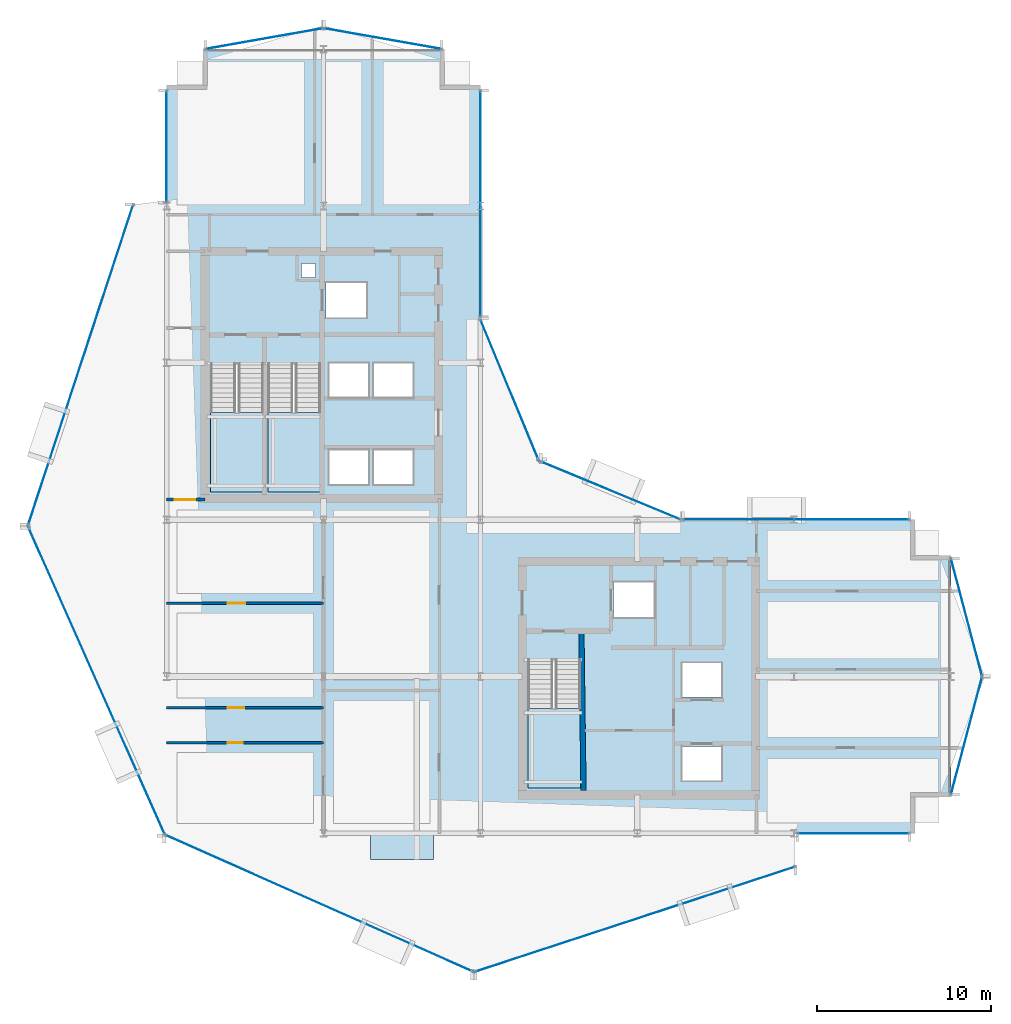
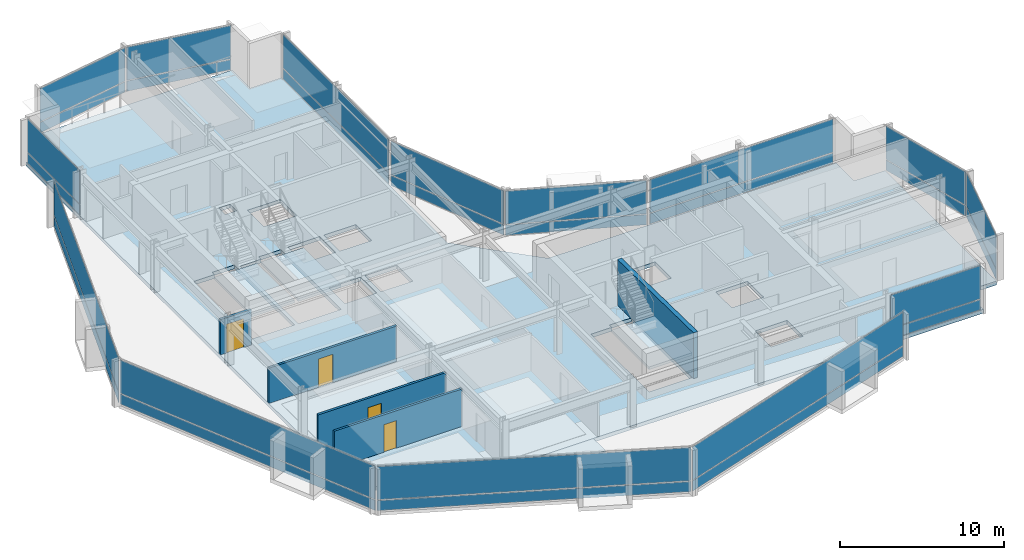
# One storey, part 21 of 29: 28 plates, 5 slabs, 5 walls, 4 doors, 4 openings, 17 elements without a shape of their own.
"""IFC4 building model written with IfcOpenShell, lengths in metres."""

from ifc_helpers import new_model, si_unit, direction, frame, frame_2d, origin, origin_2d, place, context, subcontext, project, spatial, polyline, rectangle, outline, extrude, material, layer, layer_set, type_object, element, fill, aggregate, save


model = new_model("IFC4")

# Units and contexts
model_context = context("Model", 3, precision=1e-05, world=origin(), true_north=direction((0.0, 1.0)))
body_context = subcontext(model_context, "Body", "Model", "MODEL_VIEW")
ifc_project = project(units=[si_unit("LENGTHUNIT", "METRE"), si_unit("AREAUNIT", "SQUARE_METRE"), si_unit("VOLUMEUNIT", "CUBIC_METRE"), si_unit("PLANEANGLEUNIT", "RADIAN"), si_unit("MASSUNIT", "GRAM", prefix="KILO")], contexts=[model_context])

# Site, building, storey
site_placement = place(None, origin())
site = spatial("IfcSite", under=ifc_project, at=site_placement, CompositionType="ELEMENT")
building_placement = place(site_placement, origin())
building = spatial("IfcBuilding", under=site, at=building_placement, Name="Solvaryn Broadcast Tower", CompositionType="ELEMENT")
storey_placement = place(building_placement, frame((0.0, 0.0, 139.60009765625)))
storey = spatial("IfcBuildingStorey", under=building, at=storey_placement, Name="L34", CompositionType="ELEMENT", Elevation=139.60009765625)

# Curtain wall, plates
ifc_material_1 = material(Name="Aluminium and Terracotta Unitised Curtain Wall", Category="masonry")
ifc_layer_1 = layer(ifc_material_1, 0.199951171875)
ifc_layer_set_1 = layer_set([ifc_layer_1], Name="CW-SYS2-LOWMID")
curtain_wall_type_1 = type_object("IfcCurtainWallType", Name="CW-SYS2-LOWMID", PredefinedType="NOTDEFINED", material=ifc_layer_set_1)
curtain_wall_1_placement = place(storey_placement, origin())
curtain_wall_1 = element("IfcCurtainWall", 1, at=curtain_wall_1_placement, inside=storey, type_object=curtain_wall_type_1, Name="L34 Curtain Wall DR1", PredefinedType="NOTDEFINED")
ifc_material_2 = material(Name="Kiln-Fired Architectural Terracotta Spandrel", Category="masonry")
ifc_layer_2 = layer(ifc_material_2, 0.048095703125)
ifc_layer_set_2 = layer_set([ifc_layer_2], Name="CW-PNL-TERRACOTTA")
plate_type = type_object("IfcPlateType", Name="CW-PNL-TERRACOTTA", PredefinedType="CURTAIN_PANEL", material=ifc_layer_set_2)
plate_1_placement = place(storey_placement, frame((4.056396484375, 35.8515625, 0.06005859375), z_axis=(0.0, 0.0, 1.0), x_axis=(-0.311646057547, -0.950198260794, 0.0)))
plate_1 = element("IfcPlate", 2, at=plate_1_placement, type_object=plate_type, Name="CWS2 panel 1.1", PredefinedType="CURTAIN_PANEL", context=body_context, shape_type="SweptSolid", body=[
    extrude(rectangle(XDim=19.277099609375, YDim=0.028076171875, at=origin_2d()), origin(), (0.0, 0.0, 1.0), 0.760009765625),
])
plate_2_placement = place(storey_placement, frame((4.056396484375, 35.8515625, 0.8798828125), z_axis=(0.0, 0.0, 1.0), x_axis=(-0.311646057547, -0.950198260794, 0.0)))
plate_2 = element("IfcPlate", 3, at=plate_2_placement, type_object=plate_type, Name="CWS2 panel 1.2", PredefinedType="CURTAIN_PANEL", context=body_context, shape_type="SweptSolid", body=[
    extrude(rectangle(XDim=19.277099609375, YDim=0.028076171875, at=origin_2d()), origin(), (0.0, 0.0, 1.0), 2.47998046875),
])
aggregate(curtain_wall_1, [plate_1, plate_2])

ifc_material_3 = material(Name="Aluminium and Terracotta Unitised Curtain Wall", Category="masonry")
ifc_layer_3 = layer(ifc_material_3, 0.239990234375)
ifc_layer_set_3 = layer_set([ifc_layer_3], Name="CW-SYS3-BAYBOX")
curtain_wall_type_2 = type_object("IfcCurtainWallType", Name="CW-SYS3-BAYBOX", PredefinedType="NOTDEFINED", material=ifc_layer_set_3)
curtain_wall_2_placement = place(storey_placement, origin())
curtain_wall_2 = element("IfcCurtainWall", 4, at=curtain_wall_2_placement, inside=storey, type_object=curtain_wall_type_2, Name="L34 Curtain Wall DR2", PredefinedType="NOTDEFINED")
plate_3_placement = place(storey_placement, frame((4.970947265625, 17.77197265625, 0.06005859375), z_axis=(0.0, 0.0, 1.0), x_axis=(0.405918429309, -0.913909311008, 0.0)))
plate_3 = element("IfcPlate", 5, at=plate_3_placement, type_object=plate_type, Name="CWS3 panel 1.1", PredefinedType="CURTAIN_PANEL", context=body_context, shape_type="SweptSolid", body=[
    extrude(rectangle(XDim=19.278076171875, YDim=0.028076171875, at=origin_2d()), origin(), (0.0, 0.0, 1.0), 0.760009765625),
])
plate_4_placement = place(storey_placement, frame((4.970947265625, 17.77197265625, 0.8798828125), z_axis=(0.0, 0.0, 1.0), x_axis=(0.405918429309, -0.913909311008, 0.0)))
plate_4 = element("IfcPlate", 6, at=plate_4_placement, type_object=plate_type, Name="CWS3 panel 1.2", PredefinedType="CURTAIN_PANEL", context=body_context, shape_type="SweptSolid", body=[
    extrude(rectangle(XDim=19.278076171875, YDim=0.028076171875, at=origin_2d()), origin(), (0.0, 0.0, 1.0), 2.47998046875),
])
aggregate(curtain_wall_2, [plate_3, plate_4])

curtain_wall_3_placement = place(storey_placement, origin())
curtain_wall_3 = element("IfcCurtainWall", 7, at=curtain_wall_3_placement, inside=storey, type_object=curtain_wall_type_1, Name="L34 Curtain Wall DR3", PredefinedType="NOTDEFINED")
plate_5_placement = place(storey_placement, frame((17.77197265625, 4.970947265625, 0.06005859375), z_axis=(0.0, 0.0, 1.0), x_axis=(0.913909311008, -0.405918429309, 0.0)))
plate_5 = element("IfcPlate", 8, at=plate_5_placement, type_object=plate_type, Name="CWS2 panel 1.1", PredefinedType="CURTAIN_PANEL", context=body_context, shape_type="SweptSolid", body=[
    extrude(rectangle(XDim=19.278076171875, YDim=0.028076171875, at=origin_2d()), origin(), (0.0, 0.0, 1.0), 0.760009765625),
])
plate_6_placement = place(storey_placement, frame((17.77197265625, 4.970947265625, 0.8798828125), z_axis=(0.0, 0.0, 1.0), x_axis=(0.913909311008, -0.405918429309, 0.0)))
plate_6 = element("IfcPlate", 9, at=plate_6_placement, type_object=plate_type, Name="CWS2 panel 1.2", PredefinedType="CURTAIN_PANEL", context=body_context, shape_type="SweptSolid", body=[
    extrude(rectangle(XDim=19.278076171875, YDim=0.028076171875, at=origin_2d()), origin(), (0.0, 0.0, 1.0), 2.47998046875),
])
aggregate(curtain_wall_3, [plate_5, plate_6])

curtain_wall_4_placement = place(storey_placement, origin())
curtain_wall_4 = element("IfcCurtainWall", 10, at=curtain_wall_4_placement, inside=storey, type_object=curtain_wall_type_1, Name="L34 Curtain Wall DR4", PredefinedType="NOTDEFINED")
plate_7_placement = place(storey_placement, frame((35.8515625, 4.056396484375, 0.06005859375), z_axis=(0.0, 0.0, 1.0), x_axis=(0.950198260794, 0.311646057547, 0.0)))
plate_7 = element("IfcPlate", 11, at=plate_7_placement, type_object=plate_type, Name="CWS2 panel 1.1", PredefinedType="CURTAIN_PANEL", context=body_context, shape_type="SweptSolid", body=[
    extrude(rectangle(XDim=19.277099609375, YDim=0.028076171875, at=origin_2d()), origin(), (0.0, 0.0, 1.0), 0.760009765625),
])
plate_8_placement = place(storey_placement, frame((35.8515625, 4.056396484375, 0.8798828125), z_axis=(0.0, 0.0, 1.0), x_axis=(0.950198260794, 0.311646057547, 0.0)))
plate_8 = element("IfcPlate", 12, at=plate_8_placement, type_object=plate_type, Name="CWS2 panel 1.2", PredefinedType="CURTAIN_PANEL", context=body_context, shape_type="SweptSolid", body=[
    extrude(rectangle(XDim=19.277099609375, YDim=0.028076171875, at=origin_2d()), origin(), (0.0, 0.0, 1.0), 2.47998046875),
])
aggregate(curtain_wall_4, [plate_7, plate_8])

curtain_wall_5_placement = place(storey_placement, origin())
curtain_wall_5 = element("IfcCurtainWall", 13, at=curtain_wall_5_placement, inside=storey, type_object=curtain_wall_type_1, Name="L34 Curtain Wall W2", PredefinedType="NOTDEFINED")
plate_9_placement = place(storey_placement, frame((9.0, 48.408447265625, 0.06005859375), z_axis=(0.0, 0.0, 1.0), x_axis=(0.0, 1.0, 0.0)))
plate_9 = element("IfcPlate", 14, at=plate_9_placement, type_object=plate_type, Name="CWS2 panel 1.1", PredefinedType="CURTAIN_PANEL", context=body_context, shape_type="SweptSolid", body=[
    extrude(rectangle(XDim=6.363037109375, YDim=0.028076171875, at=origin_2d()), origin(), (0.0, 0.0, 1.0), 0.760009765625),
])
plate_10_placement = place(storey_placement, frame((9.0, 48.408447265625, 0.8798828125), z_axis=(0.0, 0.0, 1.0), x_axis=(0.0, 1.0, 0.0)))
plate_10 = element("IfcPlate", 15, at=plate_10_placement, type_object=plate_type, Name="CWS2 panel 1.2", PredefinedType="CURTAIN_PANEL", context=body_context, shape_type="SweptSolid", body=[
    extrude(rectangle(XDim=6.363037109375, YDim=0.028076171875, at=origin_2d()), origin(), (0.0, 0.0, 1.0), 2.47998046875),
])
aggregate(curtain_wall_5, [plate_9, plate_10])

curtain_wall_6_placement = place(storey_placement, origin())
curtain_wall_6 = element("IfcCurtainWall", 16, at=curtain_wall_6_placement, inside=storey, type_object=curtain_wall_type_1, Name="L34 Curtain Wall IV", PredefinedType="NOTDEFINED")
plate_11_placement = place(storey_placement, frame((27.0, 45.125, 0.06005859375), z_axis=(0.0, 0.0, 1.0), x_axis=(0.0, -1.0, 0.0)))
plate_11 = element("IfcPlate", 17, at=plate_11_placement, type_object=plate_type, Name="CWS2 panel 1.1", PredefinedType="CURTAIN_PANEL", context=body_context, shape_type="SweptSolid", body=[
    extrude(rectangle(XDim=12.929931640625, YDim=0.028076171875, at=origin_2d()), origin(), (0.0, 0.0, 1.0), 0.760009765625),
])
plate_12_placement = place(storey_placement, frame((27.0, 45.125, 0.8798828125), z_axis=(0.0, 0.0, 1.0), x_axis=(0.0, -1.0, 0.0)))
plate_12 = element("IfcPlate", 18, at=plate_12_placement, type_object=plate_type, Name="CWS2 panel 1.2", PredefinedType="CURTAIN_PANEL", context=body_context, shape_type="SweptSolid", body=[
    extrude(rectangle(XDim=12.929931640625, YDim=0.028076171875, at=origin_2d()), origin(), (0.0, 0.0, 1.0), 2.47998046875),
])
aggregate(curtain_wall_6, [plate_11, plate_12])

curtain_wall_7_placement = place(storey_placement, origin())
curtain_wall_7 = element("IfcCurtainWall", 19, at=curtain_wall_7_placement, inside=storey, type_object=curtain_wall_type_1, Name="L34 Curtain Wall CN1", PredefinedType="NOTDEFINED")
plate_13_placement = place(storey_placement, frame((34.43408203125, 28.68408203125, 0.06005859375), z_axis=(0.0, 0.0, 1.0), x_axis=(-0.923894983957, 0.382646127145, 0.0)))
plate_13 = element("IfcPlate", 20, at=plate_13_placement, type_object=plate_type, Name="CWS2 panel 1.1", PredefinedType="CURTAIN_PANEL", context=body_context, shape_type="SweptSolid", body=[
    extrude(rectangle(XDim=8.681884765625, YDim=0.028076171875, at=origin_2d()), origin(), (0.0, 0.0, 1.0), 0.760009765625),
])
plate_14_placement = place(storey_placement, frame((34.43408203125, 28.68408203125, 0.8798828125), z_axis=(0.0, 0.0, 1.0), x_axis=(-0.923894983957, 0.382646127145, 0.0)))
plate_14 = element("IfcPlate", 21, at=plate_14_placement, type_object=plate_type, Name="CWS2 panel 1.2", PredefinedType="CURTAIN_PANEL", context=body_context, shape_type="SweptSolid", body=[
    extrude(rectangle(XDim=8.681884765625, YDim=0.028076171875, at=origin_2d()), origin(), (0.0, 0.0, 1.0), 2.47998046875),
])
aggregate(curtain_wall_7, [plate_13, plate_14])

curtain_wall_8_placement = place(storey_placement, origin())
curtain_wall_8 = element("IfcCurtainWall", 22, at=curtain_wall_8_placement, inside=storey, type_object=curtain_wall_type_1, Name="L34 Curtain Wall CN2", PredefinedType="NOTDEFINED")
plate_15_placement = place(storey_placement, frame((28.68408203125, 34.43408203125, 0.06005859375), z_axis=(0.0, 0.0, 1.0), x_axis=(-0.382646127145, 0.923894983957, 0.0)))
plate_15 = element("IfcPlate", 23, at=plate_15_placement, type_object=plate_type, Name="CWS2 panel 1.1", PredefinedType="CURTAIN_PANEL", context=body_context, shape_type="SweptSolid", body=[
    extrude(rectangle(XDim=8.681884765625, YDim=0.028076171875, at=origin_2d()), origin(), (0.0, 0.0, 1.0), 0.760009765625),
])
plate_16_placement = place(storey_placement, frame((28.68408203125, 34.43408203125, 0.8798828125), z_axis=(0.0, 0.0, 1.0), x_axis=(-0.382646127145, 0.923894983957, 0.0)))
plate_16 = element("IfcPlate", 24, at=plate_16_placement, type_object=plate_type, Name="CWS2 panel 1.2", PredefinedType="CURTAIN_PANEL", context=body_context, shape_type="SweptSolid", body=[
    extrude(rectangle(XDim=8.681884765625, YDim=0.028076171875, at=origin_2d()), origin(), (0.0, 0.0, 1.0), 2.47998046875),
])
aggregate(curtain_wall_8, [plate_15, plate_16])

curtain_wall_9_placement = place(storey_placement, origin())
curtain_wall_9 = element("IfcCurtainWall", 25, at=curtain_wall_9_placement, inside=storey, type_object=curtain_wall_type_1, Name="L34 Curtain Wall S2", PredefinedType="NOTDEFINED")
plate_17_placement = place(storey_placement, frame((48.408447265625, 9.0, 0.06005859375), z_axis=(0.0, 0.0, 1.0), x_axis=(1.0, 0.0, 0.0)))
plate_17 = element("IfcPlate", 26, at=plate_17_placement, type_object=plate_type, Name="CWS2 panel 1.1", PredefinedType="CURTAIN_PANEL", context=body_context, shape_type="SweptSolid", body=[
    extrude(rectangle(XDim=6.363037109375, YDim=0.028076171875, at=origin_2d()), origin(), (0.0, 0.0, 1.0), 0.760009765625),
])
plate_18_placement = place(storey_placement, frame((48.408447265625, 9.0, 0.8798828125), z_axis=(0.0, 0.0, 1.0), x_axis=(1.0, 0.0, 0.0)))
plate_18 = element("IfcPlate", 27, at=plate_18_placement, type_object=plate_type, Name="CWS2 panel 1.2", PredefinedType="CURTAIN_PANEL", context=body_context, shape_type="SweptSolid", body=[
    extrude(rectangle(XDim=6.363037109375, YDim=0.028076171875, at=origin_2d()), origin(), (0.0, 0.0, 1.0), 2.47998046875),
])
aggregate(curtain_wall_9, [plate_17, plate_18])

curtain_wall_10_placement = place(storey_placement, origin())
curtain_wall_10 = element("IfcCurtainWall", 28, at=curtain_wall_10_placement, inside=storey, type_object=curtain_wall_type_1, Name="L34 Curtain Wall NT1", PredefinedType="NOTDEFINED")
plate_19_placement = place(storey_placement, frame((21.39990234375, 54.60009765625, 0.06005859375), z_axis=(0.0, 0.0, 1.0), x_axis=(-0.984783558819, 0.173785333901, 0.0)))
plate_19 = element("IfcPlate", 29, at=plate_19_placement, type_object=plate_type, Name="CWS2 panel 1.1", PredefinedType="CURTAIN_PANEL", context=body_context, shape_type="SweptSolid", body=[
    extrude(rectangle(XDim=6.78515625, YDim=0.028076171875, at=origin_2d()), origin(), (0.0, 0.0, 1.0), 0.760009765625),
])
plate_20_placement = place(storey_placement, frame((21.39990234375, 54.60009765625, 0.8798828125), z_axis=(0.0, 0.0, 1.0), x_axis=(-0.984783558819, 0.173785333901, 0.0)))
plate_20 = element("IfcPlate", 30, at=plate_20_placement, type_object=plate_type, Name="CWS2 panel 1.2", PredefinedType="CURTAIN_PANEL", context=body_context, shape_type="SweptSolid", body=[
    extrude(rectangle(XDim=6.78515625, YDim=0.028076171875, at=origin_2d()), origin(), (0.0, 0.0, 1.0), 2.47998046875),
])
aggregate(curtain_wall_10, [plate_19, plate_20])

curtain_wall_11_placement = place(storey_placement, origin())
curtain_wall_11 = element("IfcCurtainWall", 31, at=curtain_wall_11_placement, inside=storey, type_object=curtain_wall_type_1, Name="L34 Curtain Wall NT2", PredefinedType="NOTDEFINED")
plate_21_placement = place(storey_placement, frame((14.60009765625, 54.60009765625, 0.06005859375), z_axis=(0.0, 0.0, 1.0), x_axis=(-0.984783558819, -0.173785333901, 0.0)))
plate_21 = element("IfcPlate", 32, at=plate_21_placement, type_object=plate_type, Name="CWS2 panel 1.1", PredefinedType="CURTAIN_PANEL", context=body_context, shape_type="SweptSolid", body=[
    extrude(rectangle(XDim=6.78515625, YDim=0.028076171875, at=origin_2d()), origin(), (0.0, 0.0, 1.0), 0.760009765625),
])
plate_22_placement = place(storey_placement, frame((14.60009765625, 54.60009765625, 0.8798828125), z_axis=(0.0, 0.0, 1.0), x_axis=(-0.984783558819, -0.173785333901, 0.0)))
plate_22 = element("IfcPlate", 33, at=plate_22_placement, type_object=plate_type, Name="CWS2 panel 1.2", PredefinedType="CURTAIN_PANEL", context=body_context, shape_type="SweptSolid", body=[
    extrude(rectangle(XDim=6.78515625, YDim=0.028076171875, at=origin_2d()), origin(), (0.0, 0.0, 1.0), 2.47998046875),
])
aggregate(curtain_wall_11, [plate_21, plate_22])

curtain_wall_12_placement = place(storey_placement, origin())
curtain_wall_12 = element("IfcCurtainWall", 34, at=curtain_wall_12_placement, inside=storey, type_object=curtain_wall_type_1, Name="L34 Curtain Wall ET1", PredefinedType="NOTDEFINED")
plate_23_placement = place(storey_placement, frame((54.89990234375, 21.39990234375, 0.06005859375), z_axis=(0.0, 0.0, 1.0), x_axis=(0.25589256031, -0.966705227863, 0.0)))
plate_23 = element("IfcPlate", 35, at=plate_23_placement, type_object=plate_type, Name="CWS2 panel 1.1", PredefinedType="CURTAIN_PANEL", context=body_context, shape_type="SweptSolid", body=[
    extrude(rectangle(XDim=6.914306640625, YDim=0.028076171875, at=origin_2d()), origin(), (0.0, 0.0, 1.0), 0.760009765625),
])
plate_24_placement = place(storey_placement, frame((54.89990234375, 21.39990234375, 0.8798828125), z_axis=(0.0, 0.0, 1.0), x_axis=(0.25589256031, -0.966705227863, 0.0)))
plate_24 = element("IfcPlate", 36, at=plate_24_placement, type_object=plate_type, Name="CWS2 panel 1.2", PredefinedType="CURTAIN_PANEL", context=body_context, shape_type="SweptSolid", body=[
    extrude(rectangle(XDim=6.914306640625, YDim=0.028076171875, at=origin_2d()), origin(), (0.0, 0.0, 1.0), 2.47998046875),
])
aggregate(curtain_wall_12, [plate_23, plate_24])

curtain_wall_13_placement = place(storey_placement, origin())
curtain_wall_13 = element("IfcCurtainWall", 37, at=curtain_wall_13_placement, inside=storey, type_object=curtain_wall_type_1, Name="L34 Curtain Wall ET2", PredefinedType="NOTDEFINED")
plate_25_placement = place(storey_placement, frame((54.89990234375, 14.60009765625, 0.06005859375), z_axis=(0.0, 0.0, 1.0), x_axis=(-0.25589256031, -0.966705227863, 0.0)))
plate_25 = element("IfcPlate", 38, at=plate_25_placement, type_object=plate_type, Name="CWS2 panel 1.1", PredefinedType="CURTAIN_PANEL", context=body_context, shape_type="SweptSolid", body=[
    extrude(rectangle(XDim=6.914306640625, YDim=0.028076171875, at=origin_2d()), origin(), (0.0, 0.0, 1.0), 0.760009765625),
])
plate_26_placement = place(storey_placement, frame((54.89990234375, 14.60009765625, 0.8798828125), z_axis=(0.0, 0.0, 1.0), x_axis=(-0.25589256031, -0.966705227863, 0.0)))
plate_26 = element("IfcPlate", 39, at=plate_26_placement, type_object=plate_type, Name="CWS2 panel 1.2", PredefinedType="CURTAIN_PANEL", context=body_context, shape_type="SweptSolid", body=[
    extrude(rectangle(XDim=6.914306640625, YDim=0.028076171875, at=origin_2d()), origin(), (0.0, 0.0, 1.0), 2.47998046875),
])
aggregate(curtain_wall_13, [plate_25, plate_26])

curtain_wall_14_placement = place(storey_placement, origin())
curtain_wall_14 = element("IfcCurtainWall", 40, at=curtain_wall_14_placement, inside=storey, type_object=curtain_wall_type_1, Name="L34 Curtain Wall IH", PredefinedType="NOTDEFINED")
plate_27_placement = place(storey_placement, frame((45.125, 27.0, 0.06005859375), z_axis=(0.0, 0.0, 1.0), x_axis=(1.0, 0.0, 0.0)))
plate_27 = element("IfcPlate", 41, at=plate_27_placement, type_object=plate_type, Name="CWS2 panel 1.1", PredefinedType="CURTAIN_PANEL", context=body_context, shape_type="SweptSolid", body=[
    extrude(rectangle(XDim=12.929931640625, YDim=0.028076171875, at=origin_2d()), origin(), (0.0, 0.0, 1.0), 0.760009765625),
])
plate_28_placement = place(storey_placement, frame((45.125, 27.0, 0.8798828125), z_axis=(0.0, 0.0, 1.0), x_axis=(1.0, 0.0, 0.0)))
plate_28 = element("IfcPlate", 42, at=plate_28_placement, type_object=plate_type, Name="CWS2 panel 1.2", PredefinedType="CURTAIN_PANEL", context=body_context, shape_type="SweptSolid", body=[
    extrude(rectangle(XDim=12.929931640625, YDim=0.028076171875, at=origin_2d()), origin(), (0.0, 0.0, 1.0), 2.47998046875),
])
aggregate(curtain_wall_14, [plate_27, plate_28])

# Slab
ifc_material_4 = material(Name="Concrete f'c 60 MPa", Category="concrete")
ifc_layer_4 = layer(ifc_material_4, 0.2099609375)
ifc_layer_set_4 = layer_set([ifc_layer_4], Name="SL-BAYBOX-210")
slab_type_1 = type_object("IfcSlabType", Name="SL-BAYBOX-210", PredefinedType="FLOOR", material=ifc_layer_set_4)
slab_1_placement = place(storey_placement, frame((0.0, 0.0, -0.210205078125)))
element("IfcSlab", 43, at=slab_1_placement, inside=storey, type_object=slab_type_1, Name="L34 Projecting Bay-Box Slab 1", PredefinedType="FLOOR", context=body_context, shape_type="SweptSolid", body=[
    extrude(outline(polyline([(20.699951171875, 7.5), (24.300048828125, 7.5), (24.300048828125, 9.0), (20.699951171875, 9.0), (20.699951171875, 7.5)])), origin(), (0.0, 0.0, 1.0), 0.210205078125),
])

# Stair, slab
ifc_material_5 = material(Name="Concrete f'c 60 MPa", Category="concrete")
stair_type = type_object("IfcStairType", Name="ST-CORE", PredefinedType="HALF_TURN_STAIR", material=ifc_material_5)
stair_1_placement = place(storey_placement, origin())
stair_1 = element("IfcStair", 44, at=stair_1_placement, inside=storey, type_object=stair_type, Name="L34 ST1", PredefinedType="HALF_TURN_STAIR")
ifc_material_6 = material(Name="Concrete f'c 60 MPa", Category="concrete")
ifc_layer_5 = layer(ifc_material_6, 0.199951171875)
ifc_layer_set_5 = layer_set([ifc_layer_5], Name="SL-LANDING-200")
slab_type_2 = type_object("IfcSlabType", Name="SL-LANDING-200", PredefinedType="LANDING", material=ifc_layer_set_5)
slab_2_placement = place(storey_placement, frame((0.0, 0.0, 1.64990234375)))
slab_2 = element("IfcSlab", 45, at=slab_2_placement, type_object=slab_type_2, Name="ST1 landing 1", PredefinedType="LANDING", context=body_context, shape_type="SweptSolid", body=[
    extrude(outline(polyline([(11.52001953125, 33.159912109375), (11.52001953125, 28.60009765625), (14.550048828125, 28.60009765625), (14.550048828125, 33.159912109375), (11.52001953125, 33.159912109375)])), origin(), (0.0, 0.0, 1.0), 0.199951171875),
])
aggregate(stair_1, [slab_2])

stair_2_placement = place(storey_placement, origin())
stair_2 = element("IfcStair", 46, at=stair_2_placement, inside=storey, type_object=stair_type, Name="L34 ST2", PredefinedType="HALF_TURN_STAIR")
slab_3_placement = place(storey_placement, frame((0.0, 0.0, 1.64990234375)))
slab_3 = element("IfcSlab", 47, at=slab_3_placement, type_object=slab_type_2, Name="ST2 landing 1", PredefinedType="LANDING", context=body_context, shape_type="SweptSolid", body=[
    extrude(outline(polyline([(14.800048828125, 33.159912109375), (14.800048828125, 28.60009765625), (17.830078125, 28.60009765625), (17.830078125, 33.159912109375), (14.800048828125, 33.159912109375)])), origin(), (0.0, 0.0, 1.0), 0.199951171875),
])
aggregate(stair_2, [slab_3])

stair_3_placement = place(storey_placement, origin())
stair_3 = element("IfcStair", 48, at=stair_3_placement, inside=storey, type_object=stair_type, Name="L34 ST3", PredefinedType="HALF_TURN_STAIR")
slab_4_placement = place(storey_placement, frame((0.0, 0.0, 1.64990234375)))
slab_4 = element("IfcSlab", 49, at=slab_4_placement, type_object=slab_type_2, Name="ST3 landing 1", PredefinedType="LANDING", context=body_context, shape_type="SweptSolid", body=[
    extrude(outline(polyline([(29.719970703125, 16.159912109375), (29.719970703125, 11.60009765625), (32.75, 11.60009765625), (32.75, 16.159912109375), (29.719970703125, 16.159912109375)])), origin(), (0.0, 0.0, 1.0), 0.199951171875),
])
aggregate(stair_3, [slab_4])

# Slab
ifc_material_7 = material(Name="Concrete f'c 60 MPa", Category="concrete")
ifc_layer_6 = layer(ifc_material_7, 0.280029296875)
ifc_layer_set_6 = layer_set([ifc_layer_6], Name="SL-TWR-280")
slab_type_3 = type_object("IfcSlabType", Name="SL-TWR-280", PredefinedType="FLOOR", material=ifc_layer_set_6)
slab_5_placement = place(storey_placement, frame((0.0, 0.0, -0.280029296875)))
element("IfcSlab", 50, at=slab_5_placement, inside=storey, type_object=slab_type_3, Name="L34 Structural Floor Slab", PredefinedType="FLOOR", context=body_context, shape_type="SweptSolid", body=[
    extrude(outline(polyline([(11.199951171875, 9.0), (51.800048828125, 9.0), (51.800048828125, 11.199951171875), (54.0, 11.199951171875), (54.0, 24.800048828125), (51.800048828125, 24.800048828125), (51.800048828125, 27.0), (31.5, 27.0), (27.0, 31.5), (27.0, 51.800048828125), (24.800048828125, 51.800048828125), (24.800048828125, 54.0), (11.199951171875, 54.0), (11.199951171875, 51.800048828125), (9.0, 51.800048828125), (9.0, 11.199951171875), (11.199951171875, 11.199951171875), (11.199951171875, 9.0)]), holes=[polyline([(11.52001953125, 28.60009765625), (14.550048828125, 28.60009765625), (14.550048828125, 35.9599609375), (12.97998046875, 35.9599609375), (12.97998046875, 35.679931640625), (11.52001953125, 35.679931640625), (11.52001953125, 28.60009765625)]), polyline([(14.800048828125, 28.60009765625), (17.830078125, 28.60009765625), (17.830078125, 35.9599609375), (16.260009765625, 35.9599609375), (16.260009765625, 35.679931640625), (14.800048828125, 35.679931640625), (14.800048828125, 28.60009765625)]), polyline([(29.719970703125, 11.60009765625), (32.75, 11.60009765625), (32.75, 18.9599609375), (31.179931640625, 18.9599609375), (31.179931640625, 18.679931640625), (29.719970703125, 18.679931640625), (29.719970703125, 11.60009765625)]), polyline([(18.14990234375, 38.60009765625), (20.449951171875, 38.60009765625), (20.449951171875, 40.60009765625), (18.14990234375, 40.60009765625), (18.14990234375, 38.60009765625)]), polyline([(18.324951171875, 29.02490234375), (20.574951171875, 29.02490234375), (20.574951171875, 30.97509765625), (18.324951171875, 30.97509765625), (18.324951171875, 29.02490234375)]), polyline([(20.875, 29.02490234375), (23.125, 29.02490234375), (23.125, 30.97509765625), (20.875, 30.97509765625), (20.875, 29.02490234375)]), polyline([(18.324951171875, 34.02490234375), (20.574951171875, 34.02490234375), (20.574951171875, 35.97509765625), (18.324951171875, 35.97509765625), (18.324951171875, 34.02490234375)]), polyline([(20.875, 34.02490234375), (23.125, 34.02490234375), (23.125, 35.97509765625), (20.875, 35.97509765625), (20.875, 34.02490234375)]), polyline([(34.64990234375, 21.39990234375), (36.949951171875, 21.39990234375), (36.949951171875, 23.39990234375), (34.64990234375, 23.39990234375), (34.64990234375, 21.39990234375)]), polyline([(38.574951171875, 12.02490234375), (40.824951171875, 12.02490234375), (40.824951171875, 13.97509765625), (38.574951171875, 13.97509765625), (38.574951171875, 12.02490234375)]), polyline([(38.574951171875, 16.824951171875), (40.824951171875, 16.824951171875), (40.824951171875, 18.77490234375), (38.574951171875, 18.77490234375), (38.574951171875, 16.824951171875)]), polyline([(16.75, 40.89990234375), (17.550048828125, 40.89990234375), (17.550048828125, 41.699951171875), (16.75, 41.699951171875), (16.75, 40.89990234375)])]), origin(), (0.0, 0.0, 1.0), 0.280029296875),
])

# Wall, opening, door
ifc_material_8 = material(Name="Metal-Stud Gypsum Office Partition")
ifc_layer_7 = layer(ifc_material_8, 0.159912109375)
ifc_layer_set_7 = layer_set([ifc_layer_7], Name="IW-PART-160")
wall_type_1 = type_object("IfcWallType", Name="IW-PART-160", PredefinedType="PARTITIONING", material=ifc_layer_set_7)
wall_1_placement = place(storey_placement, frame((9.0, 28.14990234375, 0.0), z_axis=(0.0, 0.0, 1.0), x_axis=(1.0, 0.0, 0.0)))
wall_1 = element("IfcWall", 51, at=wall_1_placement, inside=storey, type_object=wall_type_1, Name="L34 Interior Partition IW-L34-WM-S", PredefinedType="PARTITIONING", context=body_context, shape_type="SweptSolid", body=[
    extrude(rectangle(XDim=2.199951171875, YDim=0.159912109375, at=frame_2d((1.10009765625, 0.0))), origin(), (0.0, 0.0, 1.0), 2.6337890625),
])
opening_1_placement = place(wall_1_placement, frame((0.449951171875, 0.0, 0.0)))
opening_1 = element("IfcOpeningElement", 52, at=opening_1_placement, cuts=wall_1, Name="Opening ID04", PredefinedType="OPENING", context=body_context, shape_type="SweptSolid", body=[
    extrude(rectangle(XDim=1.199951171875, YDim=2.14990234375, at=frame_2d((0.60009765625, 1.074951171875))), frame((0.0, 0.090087890625, 0.0), z_axis=(0.0, -1.0, 0.0), x_axis=(1.0, 0.0, 0.0)), (0.0, 0.0, 1.0), 0.179931640625),
])
ifc_material_9 = material(Name="Flush Acoustic Steel and Timber Door Assembly", Category="steel")
door_type_1 = type_object("IfcDoorType", Name="ID-04-1200X2150", OperationType="NOTDEFINED", PredefinedType="DOOR", material=ifc_material_9)
door_1_placement = place(opening_1_placement, origin())
door_1 = element("IfcDoor", 53, at=door_1_placement, inside=storey, type_object=door_type_1, Name="L34 Door DR-L34-WM0", OperationType="SINGLE_SWING_RIGHT", OverallHeight=2.14990234375, OverallWidth=1.199951171875, PredefinedType="DOOR", context=body_context, shape_type="SweptSolid", body=[
    extrude(rectangle(XDim=1.199951171875, YDim=2.14990234375, at=frame_2d((0.60009765625, 1.074951171875))), frame((0.0, 0.02490234375, 0.0), z_axis=(0.0, -1.0, 0.0), x_axis=(1.0, 0.0, 0.0)), (0.0, 0.0, 1.0), 0.050048828125),
])
fill(opening_1, door_1)

wall_2_placement = place(storey_placement, frame((9.0, 14.199951171875, 0.0), z_axis=(0.0, 0.0, 1.0), x_axis=(1.0, 0.0, 0.0)))
wall_2 = element("IfcWall", 54, at=wall_2_placement, inside=storey, type_object=wall_type_1, Name="L34 Interior Partition IW-L34-SWW-H1", PredefinedType="PARTITIONING", context=body_context, shape_type="SweptSolid", body=[
    extrude(rectangle(XDim=9.0, YDim=0.159912109375, at=frame_2d((4.5, 0.0))), origin(), (0.0, 0.0, 1.0), 2.7919921875),
])
opening_2_placement = place(wall_2_placement, frame((3.5, 0.0, 0.0)))
opening_2 = element("IfcOpeningElement", 55, at=opening_2_placement, cuts=wall_2, Name="Opening ID07", PredefinedType="OPENING", context=body_context, shape_type="SweptSolid", body=[
    extrude(rectangle(XDim=0.860107421875, YDim=2.050048828125, at=frame_2d((0.43017578125, 1.02490234375))), frame((0.0, 0.090087890625, 0.0), z_axis=(0.0, -1.0, 0.0), x_axis=(1.0, 0.0, 0.0)), (0.0, 0.0, 1.0), 0.179931640625),
])
ifc_material_10 = material(Name="Flush Acoustic Steel and Timber Door Assembly", Category="steel")
door_type_2 = type_object("IfcDoorType", Name="ID-07-860X2050", OperationType="NOTDEFINED", PredefinedType="DOOR", material=ifc_material_10)
door_2_placement = place(opening_2_placement, origin())
door_2 = element("IfcDoor", 56, at=door_2_placement, inside=storey, type_object=door_type_2, Name="L34 Door DR-L34-SWW-1", OperationType="SINGLE_SWING_RIGHT", OverallHeight=2.050048828125, OverallWidth=0.860107421875, PredefinedType="DOOR", context=body_context, shape_type="SweptSolid", body=[
    extrude(rectangle(XDim=0.860107421875, YDim=2.050048828125, at=frame_2d((0.43017578125, 1.02490234375))), frame((0.0, 0.02490234375, 0.0), z_axis=(0.0, -1.0, 0.0), x_axis=(1.0, 0.0, 0.0)), (0.0, 0.0, 1.0), 0.050048828125),
])
fill(opening_2, door_2)

wall_3_placement = place(storey_placement, frame((9.0, 16.199951171875, 0.0), z_axis=(0.0, 0.0, 1.0), x_axis=(1.0, 0.0, 0.0)))
wall_3 = element("IfcWall", 57, at=wall_3_placement, inside=storey, type_object=wall_type_1, Name="L34 Interior Partition IW-L34-SWW-H2", PredefinedType="PARTITIONING", context=body_context, shape_type="SweptSolid", body=[
    extrude(rectangle(XDim=9.0, YDim=0.159912109375, at=frame_2d((4.5, 0.0))), origin(), (0.0, 0.0, 1.0), 2.7919921875),
])
opening_3_placement = place(wall_3_placement, frame((3.5, 0.0, 0.0)))
opening_3 = element("IfcOpeningElement", 58, at=opening_3_placement, cuts=wall_3, Name="Opening ID01", PredefinedType="OPENING", context=body_context, shape_type="SweptSolid", body=[
    extrude(rectangle(XDim=0.949951171875, YDim=2.10009765625, at=frame_2d((0.47509765625, 1.050048828125))), frame((0.0, 0.090087890625, 0.0), z_axis=(0.0, -1.0, 0.0), x_axis=(1.0, 0.0, 0.0)), (0.0, 0.0, 1.0), 0.179931640625),
])
ifc_material_11 = material(Name="Flush Acoustic Steel and Timber Door Assembly", Category="steel")
door_type_3 = type_object("IfcDoorType", Name="ID-01-950X2100", OperationType="NOTDEFINED", PredefinedType="DOOR", material=ifc_material_11)
door_3_placement = place(opening_3_placement, origin())
door_3 = element("IfcDoor", 59, at=door_3_placement, inside=storey, type_object=door_type_3, Name="L34 Door DR-L34-SWW-2", OperationType="SINGLE_SWING_LEFT", OverallHeight=2.10009765625, OverallWidth=0.949951171875, PredefinedType="DOOR", context=body_context, shape_type="SweptSolid", body=[
    extrude(rectangle(XDim=0.949951171875, YDim=2.10009765625, at=frame_2d((0.47509765625, 1.050048828125))), frame((0.0, 0.02490234375, 0.0), z_axis=(0.0, -1.0, 0.0), x_axis=(1.0, 0.0, 0.0)), (0.0, 0.0, 1.0), 0.050048828125),
])
fill(opening_3, door_3)

wall_4_placement = place(storey_placement, frame((9.0, 22.199951171875, 0.0), z_axis=(0.0, 0.0, 1.0), x_axis=(1.0, 0.0, 0.0)))
wall_4 = element("IfcWall", 60, at=wall_4_placement, inside=storey, type_object=wall_type_1, Name="L34 Interior Partition IW-L34-SWW-H3", PredefinedType="PARTITIONING", context=body_context, shape_type="SweptSolid", body=[
    extrude(rectangle(XDim=9.0, YDim=0.159912109375, at=frame_2d((4.5, 0.0))), origin(), (0.0, 0.0, 1.0), 2.6337890625),
])
opening_4_placement = place(wall_4_placement, frame((3.5, 0.0, 0.0)))
opening_4 = element("IfcOpeningElement", 61, at=opening_4_placement, cuts=wall_4, Name="Opening ID02", PredefinedType="OPENING", context=body_context, shape_type="SweptSolid", body=[
    extrude(rectangle(XDim=1.0, YDim=2.10009765625, at=frame_2d((0.5, 1.050048828125))), frame((0.0, 0.090087890625, 0.0), z_axis=(0.0, -1.0, 0.0), x_axis=(1.0, 0.0, 0.0)), (0.0, 0.0, 1.0), 0.179931640625),
])
ifc_material_12 = material(Name="Flush Acoustic Steel and Timber Door Assembly", Category="steel")
door_type_4 = type_object("IfcDoorType", Name="ID-02-1000X2100", OperationType="NOTDEFINED", PredefinedType="DOOR", material=ifc_material_12)
door_4_placement = place(opening_4_placement, origin())
door_4 = element("IfcDoor", 62, at=door_4_placement, inside=storey, type_object=door_type_4, Name="L34 Door DR-L34-SWW-3", OperationType="SINGLE_SWING_RIGHT", OverallHeight=2.10009765625, OverallWidth=1.0, PredefinedType="DOOR", context=body_context, shape_type="SweptSolid", body=[
    extrude(rectangle(XDim=1.0, YDim=2.10009765625, at=frame_2d((0.5, 1.050048828125))), frame((0.0, 0.02490234375, 0.0), z_axis=(0.0, -1.0, 0.0), x_axis=(1.0, 0.0, 0.0)), (0.0, 0.0, 1.0), 0.050048828125),
])
fill(opening_4, door_4)

# Wall
ifc_material_13 = material(Name="Concrete f'c 70 MPa", Category="concrete")
ifc_layer_8 = layer(ifc_material_13, 0.300048828125)
ifc_layer_set_8 = layer_set([ifc_layer_8], Name="SW-SHAFT-300")
wall_type_2 = type_object("IfcWallType", Name="SW-SHAFT-300", PredefinedType="SHEAR", material=ifc_layer_set_8)
wall_5_placement = place(storey_placement, frame((32.919921875, 11.449951171875, 0.0), z_axis=(0.0, 0.0, 1.0), x_axis=(-0.013171578211, 0.999913251001, 0.0)))
element("IfcWall", 63, at=wall_5_placement, inside=storey, type_object=wall_type_2, Name="L34 Stair 3 East Shear Wall", PredefinedType="SHEAR", context=body_context, shape_type="SweptSolid", body=[
    extrude(rectangle(XDim=9.100830078125, YDim=0.300048828125, at=frame_2d((4.55029296875, 0.0))), origin(), (0.0, 0.0, 1.0), 3.419921875),
])

save(model, "model.ifc")
